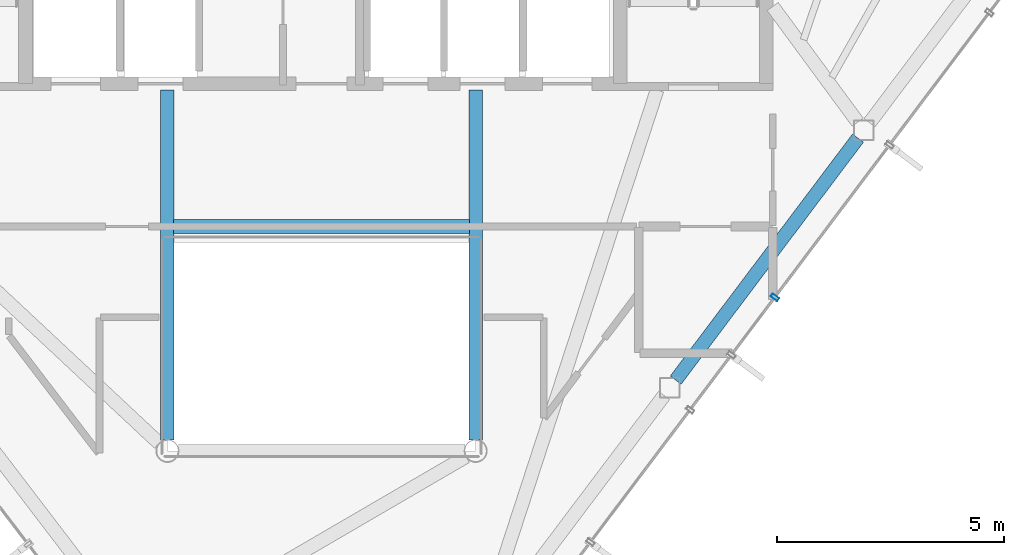
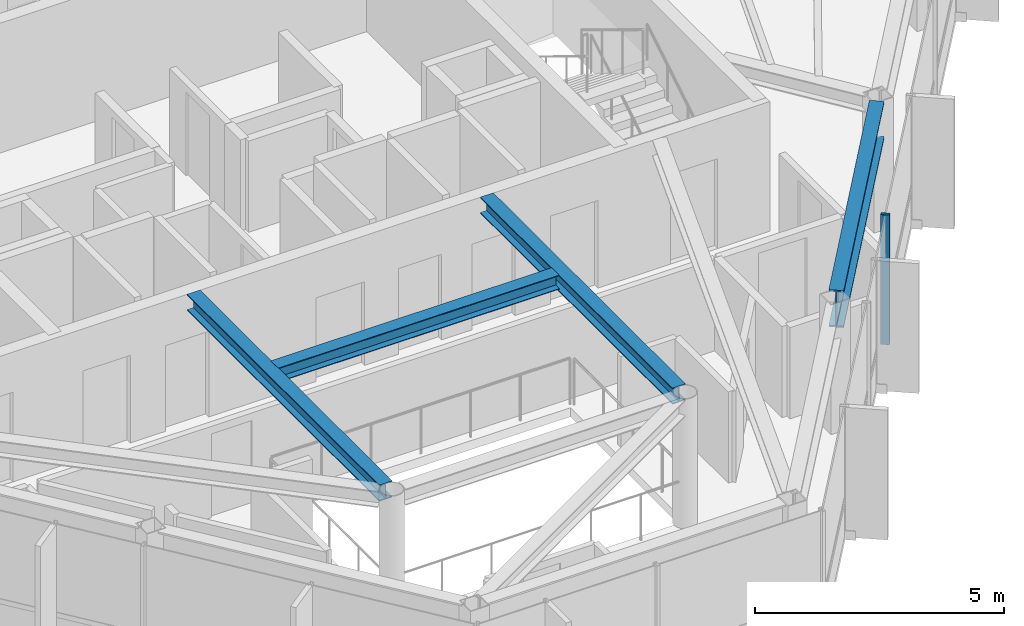
# One storey, part 9 of 22: 4 beams, 1 member, 1 element without a shape of its own.
"""IFC4 building model written with IfcOpenShell, lengths in metres."""

from ifc_helpers import new_model, si_unit, direction, frame, origin, origin_2d, place, context, subcontext, project, spatial, hollow_rectangle, i_section, extrude, material, layer, layer_set, material_profile, profile_set, type_object, element, aggregate, save


model = new_model("IFC4")

# Units and contexts
model_context = context("Model", 3, precision=1e-05, world=origin(), true_north=direction((0.0, 1.0)))
body_context = subcontext(model_context, "Body", "Model", "MODEL_VIEW")
ifc_project = project(units=[si_unit("LENGTHUNIT", "METRE"), si_unit("AREAUNIT", "SQUARE_METRE"), si_unit("VOLUMEUNIT", "CUBIC_METRE"), si_unit("PLANEANGLEUNIT", "RADIAN"), si_unit("MASSUNIT", "GRAM", prefix="KILO")], contexts=[model_context])

# Site, building, storey
site_placement = place(None, origin())
site = spatial("IfcSite", under=ifc_project, at=site_placement, CompositionType="ELEMENT")
building_placement = place(site_placement, origin())
building = spatial("IfcBuilding", under=site, at=building_placement, Name="Zarrinselat Tower", CompositionType="ELEMENT")
storey_placement = place(building_placement, frame((0.0, 0.0, 292.39990234375)))
storey = spatial("IfcBuildingStorey", under=building, at=storey_placement, Name="L75", CompositionType="ELEMENT", Elevation=292.39990234375)

# Beams
ifc_material_1 = material(Name="Steel S355J2", Category="steel")
ifc_material_profile_1 = material_profile(ifc_material_1, i_section(OverallWidth=0.300048828125, OverallDepth=0.35009765625, WebThickness=0.010009765625, FlangeThickness=0.017578125, at=origin_2d()), Name="HEA 360")
ifc_profile_set_1 = profile_set([ifc_material_profile_1], Name="Steel S355J2")
beam_type_1 = type_object("IfcBeamType", Name="BM-HEA360", PredefinedType="LINTEL", material=ifc_profile_set_1)
beam_1_placement = place(storey_placement, frame((35.139892578125, 30.14990234375, 3.005126953125), z_axis=(1.0, 0.0, 0.0), x_axis=(0.0, 1.0, 0.0)))
element("IfcBeam", 1, at=beam_1_placement, inside=storey, type_object=beam_type_1, Name="L75 Lift Lobby Ceiling Beam", PredefinedType="LINTEL", context=body_context, shape_type="SweptSolid", body=[
    extrude(i_section(OverallWidth=0.300048828125, OverallDepth=0.35009765625, WebThickness=0.010009765625, FlangeThickness=0.017578125, at=origin_2d()), origin(), (0.0, 0.0, 1.0), 6.52001953125),
])
ifc_material_2 = material(Name="Steel S355J2", Category="steel")
ifc_material_profile_2 = material_profile(ifc_material_2, i_section(OverallWidth=0.300048828125, OverallDepth=0.39990234375, WebThickness=0.013427734375, FlangeThickness=0.02392578125, at=origin_2d()), Name="HEB 400")
ifc_profile_set_2 = profile_set([ifc_material_profile_2], Name="Steel S355J2")
beam_type_2 = type_object("IfcBeamType", Name="BM-HEB400", PredefinedType="BEAM", material=ifc_profile_set_2)
for number, where, z_axis, x_axis, name in (
    (2, (35.0, 25.43994140625, 2.97998046875), (0.0, 1.0, 0.0), (-1.0, 0.0, 0.0), "L75 Atrium Edge Beam W"),
    (3, (41.800048828125, 25.43994140625, 2.97998046875), (0.0, 1.0, 0.0), (-1.0, 0.0, 0.0), "L75 Atrium Edge Beam E"),
):
    element("IfcBeam", number, at=place(storey_placement, frame(where, z_axis=z_axis, x_axis=x_axis)), inside=storey, type_object=beam_type_2, Name=name, PredefinedType="BEAM", context=body_context, shape_type="SweptSolid", body=[
        extrude(i_section(OverallWidth=0.300048828125, OverallDepth=0.39990234375, WebThickness=0.013427734375, FlangeThickness=0.02392578125, at=origin_2d()), origin(), (0.0, 0.0, 1.0), 7.719970703125),
    ])
ifc_material_3 = material(Name="Steel S460M", Category="steel")
ifc_material_profile_3 = material_profile(ifc_material_3, i_section(OverallWidth=0.302001953125, OverallDepth=0.909912109375, WebThickness=0.02099609375, FlangeThickness=0.0400390625, at=origin_2d()), Name="HEM 900")
ifc_profile_set_3 = profile_set([ifc_material_profile_3], Name="Steel S460M")
beam_type_3 = type_object("IfcBeamType", Name="BM-HEM900", PredefinedType="BEAM", material=ifc_profile_set_3)
beam_2_placement = place(storey_placement, frame((46.210205078125, 26.76171875, 2.72509765625), z_axis=(0.601682373339, 0.798735451581, 0.0), x_axis=(-0.798735451581, 0.601682373339, 0.0)))
element("IfcBeam", 4, at=beam_2_placement, inside=storey, type_object=beam_type_3, Name="L75 Perimeter Spandrel Girder SP12", PredefinedType="BEAM", context=body_context, shape_type="SweptSolid", body=[
    extrude(i_section(OverallWidth=0.302001953125, OverallDepth=0.909912109375, WebThickness=0.02099609375, FlangeThickness=0.0400390625, at=origin_2d()), origin(), (0.0, 0.0, 1.0), 6.681640625),
])

# Curtain wall, member
ifc_material_4 = material(Name="Extruded Aluminium Alloy EN AW-6063 T6", Category="aluminium")
ifc_layer = layer(ifc_material_4, 0.199951171875)
ifc_layer_set = layer_set([ifc_layer], Name="Extruded Aluminium Alloy EN AW-6063 T6")
curtain_wall_type = type_object("IfcCurtainWallType", Name="CWS-BLADE", PredefinedType="NOTDEFINED", material=ifc_layer_set)
curtain_wall_placement = place(storey_placement, origin())
curtain_wall = element("IfcCurtainWall", 5, at=curtain_wall_placement, inside=storey, type_object=curtain_wall_type, Name="L75 Unitised Curtain Wall CW-L75-E05", PredefinedType="NOTDEFINED")
ifc_material_5 = material(Name="Extruded Aluminium Alloy EN AW-6063 T6", Category="aluminium")
ifc_material_profile_4 = material_profile(ifc_material_5, hollow_rectangle(XDim=0.080078125, YDim=0.179931640625, WallThickness=0.0048828125, at=origin_2d()), Name="RHS 180x80x5")
ifc_profile_set_4 = profile_set([ifc_material_profile_4], Name="Extruded Aluminium Alloy EN AW-6063 T6")
member_type = type_object("IfcMemberType", Name="MEM-CW-MUL", PredefinedType="MULLION", material=ifc_profile_set_4)
member_placement = place(storey_placement, frame((48.39794921875, 28.58544921875, 0.0), z_axis=(0.0, 0.0, 1.0), x_axis=(0.601672649155, 0.798742776655, 0.0)))
member = element("IfcMember", 6, at=member_placement, type_object=member_type, Name="CW-L75-E05 Mullion 4", PredefinedType="MULLION", context=body_context, shape_type="SweptSolid", body=[
    extrude(hollow_rectangle(XDim=0.080078125, YDim=0.179931640625, WallThickness=0.0048828125, at=origin_2d()), origin(), (0.0, 0.0, 1.0), 3.18017578125),
])
aggregate(curtain_wall, [member])

save(model, "model.ifc")
